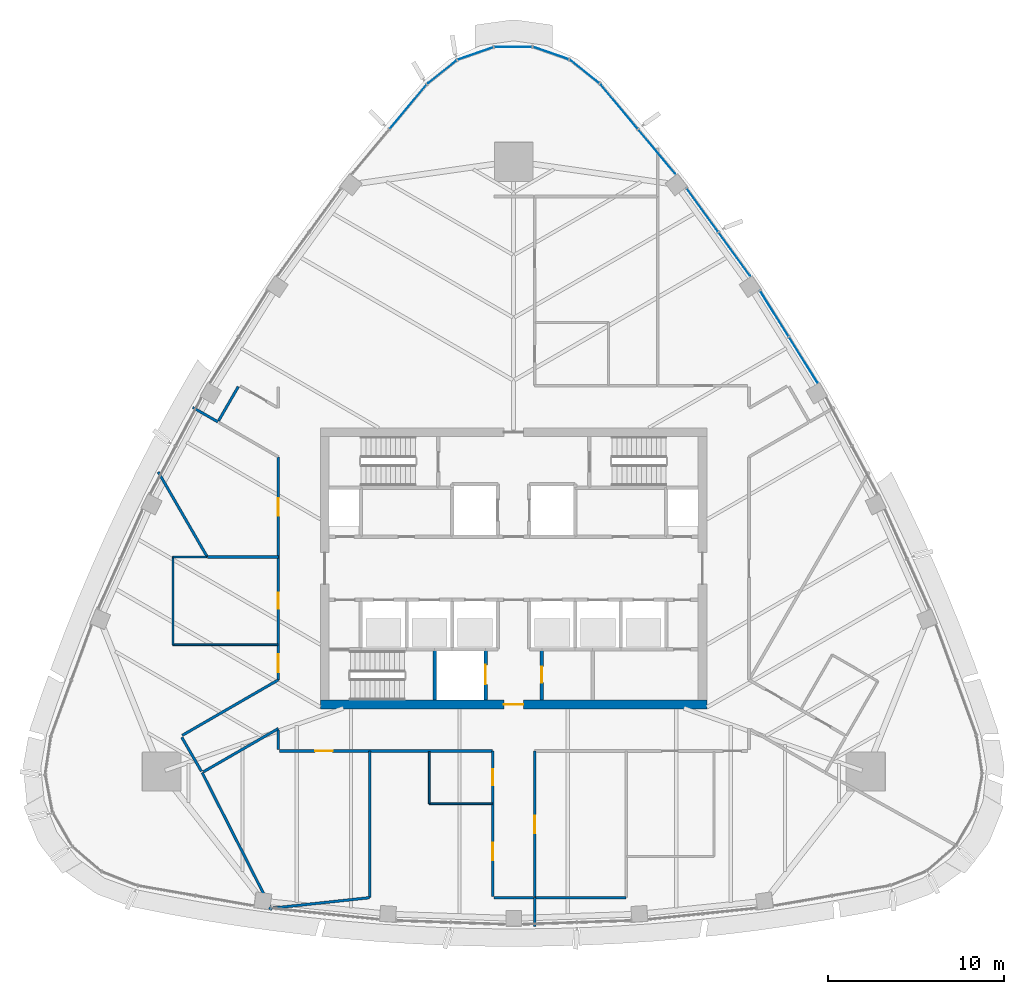
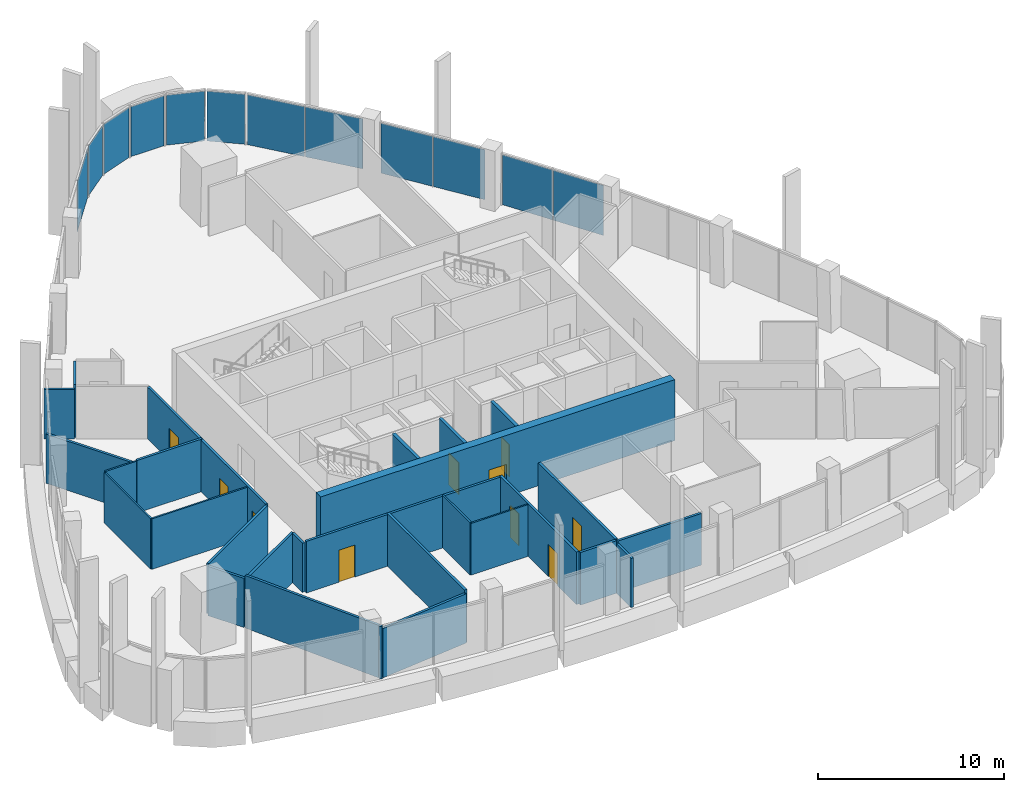
# One storey, part 8 of 19: 28 walls, 12 plates, 10 doors, 10 openings, 9 elements without a shape of their own.
"""IFC4 building model written with IfcOpenShell, lengths in metres."""

from ifc_helpers import new_model, si_unit, direction, frame, frame_2d, origin, origin_2d, place, context, subcontext, project, spatial, rectangle, extrude, material, layer, layer_set, type_object, element, fill, aggregate, save


model = new_model("IFC4")

# Units and contexts
model_context = context("Model", 3, precision=1e-05, world=origin(), true_north=direction((0.0, 1.0)))
body_context = subcontext(model_context, "Body", "Model", "MODEL_VIEW")
ifc_project = project(units=[si_unit("LENGTHUNIT", "METRE"), si_unit("AREAUNIT", "SQUARE_METRE"), si_unit("VOLUMEUNIT", "CUBIC_METRE"), si_unit("PLANEANGLEUNIT", "RADIAN"), si_unit("MASSUNIT", "GRAM", prefix="KILO")], contexts=[model_context])

# Site, building, storey
site_placement = place(None, origin())
site = spatial("IfcSite", under=ifc_project, at=site_placement, CompositionType="ELEMENT")
building_placement = place(site_placement, origin())
building = spatial("IfcBuilding", under=site, at=building_placement, Name="Sierra Prisma Convention Tower", CompositionType="ELEMENT")
storey_placement = place(building_placement, frame((0.0, 0.0, 311.0)))
storey = spatial("IfcBuildingStorey", under=building, at=storey_placement, Name="L71", CompositionType="ELEMENT", Elevation=311.0)

# Curtain wall, plates
ifc_material_1 = material(Name="Aluminium and glass curtain wall", Category="aluminium")
ifc_layer_1 = layer(ifc_material_1, 0.179931640625)
ifc_layer_set_1 = layer_set([ifc_layer_1], Name="CW-1 Plain shaft curtain wall")
curtain_wall_type = type_object("IfcCurtainWallType", Name="CW-1 Plain shaft curtain wall", PredefinedType="NOTDEFINED", material=ifc_layer_set_1)
curtain_wall_1_placement = place(storey_placement, origin())
curtain_wall_1 = element("IfcCurtainWall", 1, at=curtain_wall_1_placement, inside=storey, type_object=curtain_wall_type, Name="CW-1 NE4 L71", PredefinedType="NOTDEFINED")
ifc_material_2 = material(Name="Tinted glass bronze-grey IGU", Category="glass")
ifc_layer_2 = layer(ifc_material_2, 0.028076171875)
ifc_layer_set_2 = layer_set([ifc_layer_2], Name="CW-1 glass panel")
plate_type = type_object("IfcPlateType", Name="CW-1 glass panel", PredefinedType="CURTAIN_PANEL", material=ifc_layer_set_2)
plate_1_placement = place(storey_placement, frame((16.482666015625, 11.86767578125, 0.0), z_axis=(0.0, 0.0, 1.0), x_axis=(-0.529589428074, 0.848254111497, 0.0)))
plate_1 = element("IfcPlate", 2, at=plate_1_placement, type_object=plate_type, Name="CW-1 panel NE4.1", PredefinedType="CURTAIN_PANEL", context=body_context, shape_type="SweptSolid", body=[
    extrude(rectangle(XDim=3.03515625, YDim=0.028076171875, at=origin_2d()), origin(), (0.0, 0.0, 1.0), 3.280029296875),
])
plate_2_placement = place(storey_placement, frame((14.83837890625, 14.50146484375, 0.0), z_axis=(0.0, 0.0, 1.0), x_axis=(-0.529589428074, 0.848254111497, 0.0)))
plate_2 = element("IfcPlate", 3, at=plate_2_placement, type_object=plate_type, Name="CW-1 panel NE4.2", PredefinedType="CURTAIN_PANEL", context=body_context, shape_type="SweptSolid", body=[
    extrude(rectangle(XDim=3.03515625, YDim=0.028076171875, at=origin_2d()), origin(), (0.0, 0.0, 1.0), 3.280029296875),
])
aggregate(curtain_wall_1, [plate_1, plate_2])

curtain_wall_2_placement = place(storey_placement, origin())
curtain_wall_2 = element("IfcCurtainWall", 4, at=curtain_wall_2_placement, inside=storey, type_object=curtain_wall_type, Name="CW-1 NE5 L71", PredefinedType="NOTDEFINED")
plate_3_placement = place(storey_placement, frame((12.561767578125, 17.883544921875, 0.0), z_axis=(0.0, 0.0, 1.0), x_axis=(-0.586841000416, 0.80970219231, 0.0)))
plate_3 = element("IfcPlate", 5, at=plate_3_placement, type_object=plate_type, Name="CW-1 panel NE5.1", PredefinedType="CURTAIN_PANEL", context=body_context, shape_type="SweptSolid", body=[
    extrude(rectangle(XDim=3.02001953125, YDim=0.028076171875, at=origin_2d()), origin(), (0.0, 0.0, 1.0), 3.280029296875),
])
plate_4_placement = place(storey_placement, frame((10.748291015625, 20.385498046875, 0.0), z_axis=(0.0, 0.0, 1.0), x_axis=(-0.586841000416, 0.80970219231, 0.0)))
plate_4 = element("IfcPlate", 6, at=plate_4_placement, type_object=plate_type, Name="CW-1 panel NE5.2", PredefinedType="CURTAIN_PANEL", context=body_context, shape_type="SweptSolid", body=[
    extrude(rectangle(XDim=3.02001953125, YDim=0.028076171875, at=origin_2d()), origin(), (0.0, 0.0, 1.0), 3.280029296875),
])
aggregate(curtain_wall_2, [plate_3, plate_4])

curtain_wall_3_placement = place(storey_placement, origin())
curtain_wall_3 = element("IfcCurtainWall", 7, at=curtain_wall_3_placement, inside=storey, type_object=curtain_wall_type, Name="CW-1 NE6 L71", PredefinedType="NOTDEFINED")
plate_5_placement = place(storey_placement, frame((8.15185546875, 23.715087890625, 0.0), z_axis=(0.0, 0.0, 1.0), x_axis=(-0.641296866334, 0.767292857539, 0.0)))
plate_5 = element("IfcPlate", 8, at=plate_5_placement, type_object=plate_type, Name="CW-1 panel NE6.1", PredefinedType="CURTAIN_PANEL", context=body_context, shape_type="SweptSolid", body=[
    extrude(rectangle(XDim=3.265869140625, YDim=0.028076171875, at=origin_2d()), origin(), (0.0, 0.0, 1.0), 3.280029296875),
])
plate_6_placement = place(storey_placement, frame((6.012451171875, 26.274658203125, 0.0), z_axis=(0.0, 0.0, 1.0), x_axis=(-0.641296866334, 0.767292857539, 0.0)))
plate_6 = element("IfcPlate", 9, at=plate_6_placement, type_object=plate_type, Name="CW-1 panel NE6.2", PredefinedType="CURTAIN_PANEL", context=body_context, shape_type="SweptSolid", body=[
    extrude(rectangle(XDim=3.265869140625, YDim=0.028076171875, at=origin_2d()), origin(), (0.0, 0.0, 1.0), 3.280029296875),
])
aggregate(curtain_wall_3, [plate_5, plate_6])

# Curtain wall, plate
curtain_wall_4_placement = place(storey_placement, origin())
curtain_wall_4 = element("IfcCurtainWall", 10, at=curtain_wall_4_placement, inside=storey, type_object=curtain_wall_type, Name="CW-1 N1 L71", PredefinedType="NOTDEFINED")
plate_7_placement = place(storey_placement, frame((4.0556640625, 28.269287109375, 0.0), z_axis=(0.0, 0.0, 1.0), x_axis=(-0.78253261812, 0.622609590015, 0.0)))
plate_7 = element("IfcPlate", 11, at=plate_7_placement, type_object=plate_type, Name="CW-1 panel N1.1", PredefinedType="CURTAIN_PANEL", context=body_context, shape_type="SweptSolid", body=[
    extrude(rectangle(XDim=2.06982421875, YDim=0.028076171875, at=origin_2d()), origin(), (0.0, 0.0, 1.0), 3.280029296875),
])
aggregate(curtain_wall_4, [plate_7])

curtain_wall_5_placement = place(storey_placement, origin())
curtain_wall_5 = element("IfcCurtainWall", 12, at=curtain_wall_5_placement, inside=storey, type_object=curtain_wall_type, Name="CW-1 N2 L71", PredefinedType="NOTDEFINED")
plate_8_placement = place(storey_placement, frame((2.14794921875, 29.321533203125, 0.0), z_axis=(0.0, 0.0, 1.0), x_axis=(-0.944069017106, 0.329747920297, 0.0)))
plate_8 = element("IfcPlate", 13, at=plate_8_placement, type_object=plate_type, Name="CW-1 panel N2.1", PredefinedType="CURTAIN_PANEL", context=body_context, shape_type="SweptSolid", body=[
    extrude(rectangle(XDim=2.06982421875, YDim=0.028076171875, at=origin_2d()), origin(), (0.0, 0.0, 1.0), 3.280029296875),
])
aggregate(curtain_wall_5, [plate_8])

curtain_wall_6_placement = place(storey_placement, origin())
curtain_wall_6 = element("IfcCurtainWall", 14, at=curtain_wall_6_placement, inside=storey, type_object=curtain_wall_type, Name="CW-1 N3 L71", PredefinedType="NOTDEFINED")
plate_9_placement = place(storey_placement, frame((0.0, 29.68603515625, 0.0), z_axis=(0.0, 0.0, 1.0), x_axis=(-1.0, 0.0, 0.0)))
plate_9 = element("IfcPlate", 15, at=plate_9_placement, type_object=plate_type, Name="CW-1 panel N3.1", PredefinedType="CURTAIN_PANEL", context=body_context, shape_type="SweptSolid", body=[
    extrude(rectangle(XDim=2.06982421875, YDim=0.028076171875, at=origin_2d()), origin(), (0.0, 0.0, 1.0), 3.280029296875),
])
aggregate(curtain_wall_6, [plate_9])

curtain_wall_7_placement = place(storey_placement, origin())
curtain_wall_7 = element("IfcCurtainWall", 16, at=curtain_wall_7_placement, inside=storey, type_object=curtain_wall_type, Name="CW-1 N4 L71", PredefinedType="NOTDEFINED")
plate_10_placement = place(storey_placement, frame((-2.14794921875, 29.321533203125, 0.0), z_axis=(0.0, 0.0, 1.0), x_axis=(-0.944069017106, -0.329747920297, 0.0)))
plate_10 = element("IfcPlate", 17, at=plate_10_placement, type_object=plate_type, Name="CW-1 panel N4.1", PredefinedType="CURTAIN_PANEL", context=body_context, shape_type="SweptSolid", body=[
    extrude(rectangle(XDim=2.06982421875, YDim=0.028076171875, at=origin_2d()), origin(), (0.0, 0.0, 1.0), 3.280029296875),
])
aggregate(curtain_wall_7, [plate_10])

curtain_wall_8_placement = place(storey_placement, origin())
curtain_wall_8 = element("IfcCurtainWall", 18, at=curtain_wall_8_placement, inside=storey, type_object=curtain_wall_type, Name="CW-1 N5 L71", PredefinedType="NOTDEFINED")
plate_11_placement = place(storey_placement, frame((-4.0556640625, 28.269287109375, 0.0), z_axis=(0.0, 0.0, 1.0), x_axis=(-0.78253261812, -0.622609590015, 0.0)))
plate_11 = element("IfcPlate", 19, at=plate_11_placement, type_object=plate_type, Name="CW-1 panel N5.1", PredefinedType="CURTAIN_PANEL", context=body_context, shape_type="SweptSolid", body=[
    extrude(rectangle(XDim=2.06982421875, YDim=0.028076171875, at=origin_2d()), origin(), (0.0, 0.0, 1.0), 3.280029296875),
])
aggregate(curtain_wall_8, [plate_11])

curtain_wall_9_placement = place(storey_placement, origin())
curtain_wall_9 = element("IfcCurtainWall", 20, at=curtain_wall_9_placement, inside=storey, type_object=curtain_wall_type, Name="CW-1 NW1 L71", PredefinedType="NOTDEFINED")
plate_12_placement = place(storey_placement, frame((-6.012451171875, 26.274658203125, 0.0), z_axis=(0.0, 0.0, 1.0), x_axis=(-0.641296866334, -0.767292857539, 0.0)))
plate_12 = element("IfcPlate", 21, at=plate_12_placement, type_object=plate_type, Name="CW-1 panel NW1.1", PredefinedType="CURTAIN_PANEL", context=body_context, shape_type="SweptSolid", body=[
    extrude(rectangle(XDim=3.265869140625, YDim=0.028076171875, at=origin_2d()), origin(), (0.0, 0.0, 1.0), 3.280029296875),
])
aggregate(curtain_wall_9, [plate_12])

# Walls
ifc_material_3 = material(Name="Gypsum board partition", Category="gypsum")
ifc_layer_3 = layer(ifc_material_3, 0.10009765625)
ifc_layer_set_3 = layer_set([ifc_layer_3], Name="Bathroom partition 100")
wall_type_1 = type_object("IfcWallType", Name="Bathroom partition 100", PredefinedType="PARTITIONING", material=ifc_layer_set_3)
wall_1_placement = place(storey_placement, frame((-13.429931640625, -4.350830078125, 0.0), z_axis=(0.0, 0.0, 1.0), x_axis=(-1.0, 0.0, 0.0)))
element("IfcWall", 22, at=wall_1_placement, inside=storey, type_object=wall_type_1, Name="Partition L71 bath 1", PredefinedType="PARTITIONING", context=body_context, shape_type="SweptSolid", body=[
    extrude(rectangle(XDim=5.969970703125, YDim=0.10009765625, at=frame_2d((2.98486328125, 0.0))), origin(), (0.0, 0.0, 1.0), 3.31689453125),
])
wall_2_placement = place(storey_placement, frame((-19.39990234375, -4.350830078125, 0.0), z_axis=(0.0, 0.0, 1.0), x_axis=(0.0, 1.0, 0.0)))
element("IfcWall", 23, at=wall_2_placement, inside=storey, type_object=wall_type_1, Name="Partition L71 bath 2", PredefinedType="PARTITIONING", context=body_context, shape_type="SweptSolid", body=[
    extrude(rectangle(XDim=5.0, YDim=0.10009765625, at=frame_2d((2.5, 0.0))), origin(), (0.0, 0.0, 1.0), 3.31689453125),
])
wall_3_placement = place(storey_placement, frame((-19.39990234375, 0.649169921875, 0.0), z_axis=(0.0, 0.0, 1.0), x_axis=(1.0, 0.0, 0.0)))
element("IfcWall", 24, at=wall_3_placement, inside=storey, type_object=wall_type_1, Name="Partition L71 bath 3", PredefinedType="PARTITIONING", context=body_context, shape_type="SweptSolid", body=[
    extrude(rectangle(XDim=1.923828125, YDim=0.10009765625, at=frame_2d((0.9619140625, 0.0))), origin(), (0.0, 0.0, 1.0), 3.39306640625),
])
wall_4_placement = place(storey_placement, frame((-1.22998046875, -13.39990234375, 0.0), z_axis=(0.0, 0.0, 1.0), x_axis=(-1.0, 0.0, 0.0)))
element("IfcWall", 25, at=wall_4_placement, inside=storey, type_object=wall_type_1, Name="Partition L71 bath 4", PredefinedType="PARTITIONING", context=body_context, shape_type="SweptSolid", body=[
    extrude(rectangle(XDim=3.570068359375, YDim=0.10009765625, at=frame_2d((1.78515625, 0.0))), origin(), (0.0, 0.0, 1.0), 3.39306640625),
])
wall_5_placement = place(storey_placement, frame((-4.800048828125, -13.39990234375, 0.0), z_axis=(0.0, 0.0, 1.0), x_axis=(0.0, 1.0, 0.0)))
element("IfcWall", 26, at=wall_5_placement, inside=storey, type_object=wall_type_1, Name="Partition L71 bath 5", PredefinedType="PARTITIONING", context=body_context, shape_type="SweptSolid", body=[
    extrude(rectangle(XDim=2.969970703125, YDim=0.10009765625, at=frame_2d((1.48486328125, 0.0))), origin(), (0.0, 0.0, 1.0), 3.449951171875),
])
ifc_material_4 = material(Name="Concrete C30/37", Category="concrete")
ifc_layer_4 = layer(ifc_material_4, 0.199951171875)
ifc_layer_set_4 = layer_set([ifc_layer_4], Name="Core wall RC 200 C30/37")
wall_type_2 = type_object("IfcWallType", Name="Core wall RC 200 C30/37", PredefinedType="SOLIDWALL", material=ifc_layer_set_4)
wall_6_placement = place(storey_placement, frame((-4.5, -4.60009765625, 0.0), z_axis=(0.0, 0.0, 1.0), x_axis=(0.0, -1.0, 0.0)))
element("IfcWall", 27, at=wall_6_placement, inside=storey, type_object=wall_type_2, Name="Core wall L71 14", PredefinedType="SOLIDWALL", context=body_context, shape_type="SweptSolid", body=[
    extrude(rectangle(XDim=2.89990234375, YDim=0.199951171875, at=frame_2d((1.449951171875, 0.0))), origin(), (0.0, 0.0, 1.0), 3.85009765625),
])

# Wall, opening, door
wall_7_placement = place(storey_placement, frame((-1.60009765625, -7.5, 0.0), z_axis=(0.0, 0.0, 1.0), x_axis=(0.0, 1.0, 0.0)))
wall_7 = element("IfcWall", 28, at=wall_7_placement, inside=storey, type_object=wall_type_2, Name="Core wall L71 26", PredefinedType="SOLIDWALL", context=body_context, shape_type="SweptSolid", body=[
    extrude(rectangle(XDim=2.89990234375, YDim=0.199951171875, at=frame_2d((1.449951171875, 0.0))), origin(), (0.0, 0.0, 1.0), 3.85009765625),
])
opening_1_placement = place(wall_7_placement, frame((0.89990234375, 0.0, 0.0)))
opening_1 = element("IfcOpeningElement", 29, at=opening_1_placement, cuts=wall_7, Name="Opening L71-D009", PredefinedType="OPENING", context=body_context, shape_type="SweptSolid", body=[
    extrude(rectangle(XDim=1.10009765625, YDim=2.10009765625, at=frame_2d((0.550048828125, 1.050048828125))), frame((0.0, 0.10009765625, 0.0), z_axis=(0.0, -1.0, 0.0), x_axis=(1.0, 0.0, 0.0)), (0.0, 0.0, 1.0), 0.199951171875),
])
ifc_material_5 = material(Name="Steel fire door leaf", Category="steel")
door_type_1 = type_object("IfcDoorType", Name="Door 1100x2100 EI 90 sliding lift landing", OperationType="SLIDING_TO_LEFT", PredefinedType="DOOR", material=ifc_material_5)
door_1_placement = place(opening_1_placement, origin())
door_1 = element("IfcDoor", 30, at=door_1_placement, inside=storey, type_object=door_type_1, Name="Door L71 25", OperationType="SLIDING_TO_RIGHT", OverallHeight=2.10009765625, OverallWidth=1.10009765625, PredefinedType="DOOR", context=body_context, shape_type="SweptSolid", body=[
    extrude(rectangle(XDim=1.10009765625, YDim=2.10009765625, at=frame_2d((0.550048828125, 1.050048828125))), frame((0.0, 0.02490234375, 0.0), z_axis=(0.0, -1.0, 0.0), x_axis=(1.0, 0.0, 0.0)), (0.0, 0.0, 1.0), 0.050048828125),
])
fill(opening_1, door_1)

wall_8_placement = place(storey_placement, frame((1.60009765625, -4.60009765625, 0.0), z_axis=(0.0, 0.0, 1.0), x_axis=(0.0, -1.0, 0.0)))
wall_8 = element("IfcWall", 31, at=wall_8_placement, inside=storey, type_object=wall_type_2, Name="Core wall L71 38", PredefinedType="SOLIDWALL", context=body_context, shape_type="SweptSolid", body=[
    extrude(rectangle(XDim=2.89990234375, YDim=0.199951171875, at=frame_2d((1.449951171875, 0.0))), origin(), (0.0, 0.0, 1.0), 3.85009765625),
])
opening_2_placement = place(wall_8_placement, frame((1.0, 0.0, 0.0)))
opening_2 = element("IfcOpeningElement", 32, at=opening_2_placement, cuts=wall_8, Name="Opening L71-D022", PredefinedType="OPENING", context=body_context, shape_type="SweptSolid", body=[
    extrude(rectangle(XDim=0.89990234375, YDim=2.10009765625, at=frame_2d((0.449951171875, 1.050048828125))), frame((0.0, 0.10009765625, 0.0), z_axis=(0.0, -1.0, 0.0), x_axis=(1.0, 0.0, 0.0)), (0.0, 0.0, 1.0), 0.199951171875),
])
ifc_material_6 = material(Name="Steel fire door leaf", Category="steel")
door_type_2 = type_object("IfcDoorType", Name="Door 900x2100 FD30S", OperationType="SINGLE_SWING_LEFT", PredefinedType="DOOR", material=ifc_material_6)
door_2_placement = place(opening_2_placement, origin())
door_2 = element("IfcDoor", 33, at=door_2_placement, inside=storey, type_object=door_type_2, Name="Door L71 38", OperationType="SINGLE_SWING_RIGHT", OverallHeight=2.10009765625, OverallWidth=0.89990234375, PredefinedType="DOOR", context=body_context, shape_type="SweptSolid", body=[
    extrude(rectangle(XDim=0.89990234375, YDim=2.10009765625, at=frame_2d((0.449951171875, 1.050048828125))), frame((0.0, 0.02490234375, 0.0), z_axis=(0.0, -1.0, 0.0), x_axis=(1.0, 0.0, 0.0)), (0.0, 0.0, 1.0), 0.050048828125),
])
fill(opening_2, door_2)

ifc_material_7 = material(Name="Concrete C50/60", Category="concrete")
ifc_layer_5 = layer(ifc_material_7, 0.5)
ifc_layer_set_5 = layer_set([ifc_layer_5], Name="Core wall RC 500 C50/60")
wall_type_3 = type_object("IfcWallType", Name="Core wall RC 500 C50/60", PredefinedType="SHEAR", material=ifc_layer_set_5)
wall_9_placement = place(storey_placement, frame((-11.0, -7.75, 0.0), z_axis=(0.0, 0.0, 1.0), x_axis=(1.0, 0.0, 0.0)))
wall_9 = element("IfcWall", 34, at=wall_9_placement, inside=storey, type_object=wall_type_3, Name="Core wall S L71", PredefinedType="SHEAR", context=body_context, shape_type="SweptSolid", body=[
    extrude(rectangle(XDim=22.0, YDim=0.5, at=frame_2d((11.0, 0.0))), origin(), (0.0, 0.0, 1.0), 4.0),
])
opening_3_placement = place(wall_9_placement, frame((10.449951171875, 0.0, 0.0)))
opening_3 = element("IfcOpeningElement", 35, at=opening_3_placement, cuts=wall_9, Name="Opening L71-D041", PredefinedType="OPENING", context=body_context, shape_type="SweptSolid", body=[
    extrude(rectangle(XDim=1.10009765625, YDim=2.10009765625, at=frame_2d((0.550048828125, 1.050048828125))), frame((0.0, 0.25, 0.0), z_axis=(0.0, -1.0, 0.0), x_axis=(1.0, 0.0, 0.0)), (0.0, 0.0, 1.0), 0.5),
])
ifc_material_8 = material(Name="Steel fire door leaf", Category="steel")
door_type_3 = type_object("IfcDoorType", Name="Door 1100x2100 FD30S", OperationType="SINGLE_SWING_LEFT", PredefinedType="DOOR", material=ifc_material_8)
door_3_placement = place(opening_3_placement, origin())
door_3 = element("IfcDoor", 36, at=door_3_placement, inside=storey, type_object=door_type_3, Name="Door L71 42", OperationType="SINGLE_SWING_LEFT", OverallHeight=2.10009765625, OverallWidth=1.10009765625, PredefinedType="DOOR", context=body_context, shape_type="SweptSolid", body=[
    extrude(rectangle(XDim=1.10009765625, YDim=2.10009765625, at=frame_2d((0.550048828125, 1.050048828125))), frame((0.0, 0.02490234375, 0.0), z_axis=(0.0, -1.0, 0.0), x_axis=(1.0, 0.0, 0.0)), (0.0, 0.0, 1.0), 0.050048828125),
])
fill(opening_3, door_3)

# Wall
ifc_material_9 = material(Name="Gypsum board partition", Category="gypsum")
ifc_layer_6 = layer(ifc_material_9, 0.14990234375)
ifc_layer_set_6 = layer_set([ifc_layer_6], Name="Corridor wall 150 gypsum EI 60")
wall_type_4 = type_object("IfcWallType", Name="Corridor wall 150 gypsum EI 60", PredefinedType="PARTITIONING", material=ifc_layer_set_6)
wall_10_placement = place(storey_placement, frame((-18.8955078125, -9.615966796875, 0.0), z_axis=(0.0, 0.0, 1.0), x_axis=(0.500030632641, -0.866007717299, 0.0)))
element("IfcWall", 37, at=wall_10_placement, inside=storey, type_object=wall_type_4, Name="Partition L71 corr 1", PredefinedType="PARTITIONING", context=body_context, shape_type="SweptSolid", body=[
    extrude(rectangle(XDim=2.239990234375, YDim=0.14990234375, at=frame_2d((1.1201171875, 0.0))), origin(), (0.0, 0.0, 1.0), 3.23291015625),
])

# Wall, openings, doors
wall_11_placement = place(storey_placement, frame((-13.39990234375, 6.350830078125, 0.0), z_axis=(0.0, 0.0, 1.0), x_axis=(0.0, -1.0, 0.0)))
wall_11 = element("IfcWall", 38, at=wall_11_placement, inside=storey, type_object=wall_type_4, Name="Partition L71 corr 3", PredefinedType="PARTITIONING", context=body_context, shape_type="SweptSolid", body=[
    extrude(rectangle(XDim=12.70166015625, YDim=0.14990234375, at=frame_2d((6.350830078125, 0.0))), origin(), (0.0, 0.0, 1.0), 3.39306640625),
])
opening_4_placement = place(wall_11_placement, frame((2.350830078125, 0.0, 0.0)))
opening_4 = element("IfcOpeningElement", 39, at=opening_4_placement, cuts=wall_11, Name="Opening L71-D028", PredefinedType="OPENING", context=body_context, shape_type="SweptSolid", body=[
    extrude(rectangle(XDim=1.0, YDim=2.10009765625, at=frame_2d((0.5, 1.050048828125))), frame((0.0, 0.074951171875, 0.0), z_axis=(0.0, -1.0, 0.0), x_axis=(1.0, 0.0, 0.0)), (0.0, 0.0, 1.0), 0.14990234375),
])
opening_5_placement = place(wall_11_placement, frame((7.751708984375, 0.0, 0.0)))
opening_5 = element("IfcOpeningElement", 40, at=opening_5_placement, cuts=wall_11, Name="Opening L71-D029", PredefinedType="OPENING", context=body_context, shape_type="SweptSolid", body=[
    extrude(rectangle(XDim=0.89990234375, YDim=2.10009765625, at=frame_2d((0.449951171875, 1.050048828125))), frame((0.0, 0.074951171875, 0.0), z_axis=(0.0, -1.0, 0.0), x_axis=(1.0, 0.0, 0.0)), (0.0, 0.0, 1.0), 0.14990234375),
])
opening_6_placement = place(wall_11_placement, frame((11.251708984375, 0.0, 0.0)))
opening_6 = element("IfcOpeningElement", 41, at=opening_6_placement, cuts=wall_11, Name="Opening L71-D030", PredefinedType="OPENING", context=body_context, shape_type="SweptSolid", body=[
    extrude(rectangle(XDim=1.0, YDim=2.10009765625, at=frame_2d((0.5, 1.050048828125))), frame((0.0, 0.074951171875, 0.0), z_axis=(0.0, -1.0, 0.0), x_axis=(1.0, 0.0, 0.0)), (0.0, 0.0, 1.0), 0.14990234375),
])
ifc_material_10 = material(Name="Steel fire door leaf", Category="steel")
door_type_4 = type_object("IfcDoorType", Name="Door 1000x2100 FD30S", OperationType="SINGLE_SWING_LEFT", PredefinedType="DOOR", material=ifc_material_10)
door_4_placement = place(opening_4_placement, origin())
door_4 = element("IfcDoor", 42, at=door_4_placement, inside=storey, type_object=door_type_4, Name="Door L71 6", OperationType="SINGLE_SWING_RIGHT", OverallHeight=2.10009765625, OverallWidth=1.0, PredefinedType="DOOR", context=body_context, shape_type="SweptSolid", body=[
    extrude(rectangle(XDim=1.0, YDim=2.10009765625, at=frame_2d((0.5, 1.050048828125))), frame((0.0, 0.02490234375, 0.0), z_axis=(0.0, -1.0, 0.0), x_axis=(1.0, 0.0, 0.0)), (0.0, 0.0, 1.0), 0.050048828125),
])
fill(opening_4, door_4)
door_5_placement = place(opening_6_placement, origin())
door_5 = element("IfcDoor", 43, at=door_5_placement, inside=storey, type_object=door_type_4, Name="Door L71 8", OperationType="SINGLE_SWING_RIGHT", OverallHeight=2.10009765625, OverallWidth=1.0, PredefinedType="DOOR", context=body_context, shape_type="SweptSolid", body=[
    extrude(rectangle(XDim=1.0, YDim=2.10009765625, at=frame_2d((0.5, 1.050048828125))), frame((0.0, 0.02490234375, 0.0), z_axis=(0.0, -1.0, 0.0), x_axis=(1.0, 0.0, 0.0)), (0.0, 0.0, 1.0), 0.050048828125),
])
fill(opening_6, door_5)
door_6_placement = place(opening_5_placement, origin())
door_6 = element("IfcDoor", 44, at=door_6_placement, inside=storey, type_object=door_type_2, Name="Door L71 7", OperationType="SINGLE_SWING_LEFT", OverallHeight=2.10009765625, OverallWidth=0.89990234375, PredefinedType="DOOR", context=body_context, shape_type="SweptSolid", body=[
    extrude(rectangle(XDim=0.89990234375, YDim=2.10009765625, at=frame_2d((0.449951171875, 1.050048828125))), frame((0.0, 0.02490234375, 0.0), z_axis=(0.0, -1.0, 0.0), x_axis=(1.0, 0.0, 0.0)), (0.0, 0.0, 1.0), 0.050048828125),
])
fill(opening_5, door_6)

# Walls
wall_12_placement = place(storey_placement, frame((-13.39990234375, -6.350830078125, 0.0), z_axis=(0.0, 0.0, 1.0), x_axis=(-0.866040017224, -0.499974687925, 0.0)))
element("IfcWall", 45, at=wall_12_placement, inside=storey, type_object=wall_type_4, Name="Partition L71 corr 4", PredefinedType="PARTITIONING", context=body_context, shape_type="SweptSolid", body=[
    extrude(rectangle(XDim=6.311767578125, YDim=0.14990234375, at=frame_2d((3.15576171875, 0.0))), origin(), (0.0, 0.0, 1.0), 3.31689453125),
])
wall_13_placement = place(storey_placement, frame((-17.666015625, -11.585205078125, 0.0), z_axis=(0.0, 0.0, 1.0), x_axis=(0.86601721881, 0.500014176524, 0.0)))
element("IfcWall", 46, at=wall_13_placement, inside=storey, type_object=wall_type_4, Name="Partition L71 corr 5", PredefinedType="PARTITIONING", context=body_context, shape_type="SweptSolid", body=[
    extrude(rectangle(XDim=4.926025390625, YDim=0.14990234375, at=frame_2d((2.462890625, 0.0))), origin(), (0.0, 0.0, 1.0), 3.23291015625),
])
wall_14_placement = place(storey_placement, frame((-13.39990234375, -9.213623046875, 0.0), z_axis=(0.0, 0.0, 1.0), x_axis=(0.0, -1.0, 0.0)))
element("IfcWall", 47, at=wall_14_placement, inside=storey, type_object=wall_type_4, Name="Partition L71 corr 6", PredefinedType="PARTITIONING", context=body_context, shape_type="SweptSolid", body=[
    extrude(rectangle(XDim=1.1064453125, YDim=0.14990234375, at=frame_2d((0.55322265625, 0.0))), origin(), (0.0, 0.0, 1.0), 3.23291015625),
])
wall_15_placement = place(storey_placement, frame((-15.6767578125, 10.34423828125, 0.0), z_axis=(0.0, 0.0, 1.0), x_axis=(-0.49994888933, -0.866054910533, 0.0)))
element("IfcWall", 48, at=wall_15_placement, inside=storey, type_object=wall_type_4, Name="Partition L71 corr 7", PredefinedType="PARTITIONING", context=body_context, shape_type="SweptSolid", body=[
    extrude(rectangle(XDim=2.239990234375, YDim=0.14990234375, at=frame_2d((1.1201171875, 0.0))), origin(), (0.0, 0.0, 1.0), 3.449951171875),
])

# Wall, opening, door
wall_16_placement = place(storey_placement, frame((-13.320068359375, -10.39990234375, 0.0), z_axis=(0.0, 0.0, 1.0), x_axis=(1.0, 0.0, 0.0)))
wall_16 = element("IfcWall", 49, at=wall_16_placement, inside=storey, type_object=wall_type_4, Name="Partition L71 corr 10", PredefinedType="PARTITIONING", context=body_context, shape_type="SweptSolid", body=[
    extrude(rectangle(XDim=12.1201171875, YDim=0.14990234375, at=frame_2d((6.06005859375, 0.0))), origin(), (0.0, 0.0, 1.0), 3.39306640625),
])
opening_7_placement = place(wall_16_placement, frame((2.02001953125, 0.0, 0.0)))
opening_7 = element("IfcOpeningElement", 50, at=opening_7_placement, cuts=wall_16, Name="Opening L71-D031", PredefinedType="OPENING", context=body_context, shape_type="SweptSolid", body=[
    extrude(rectangle(XDim=1.0, YDim=2.10009765625, at=frame_2d((0.5, 1.050048828125))), frame((0.0, 0.074951171875, 0.0), z_axis=(0.0, -1.0, 0.0), x_axis=(1.0, 0.0, 0.0)), (0.0, 0.0, 1.0), 0.14990234375),
])
door_7_placement = place(opening_7_placement, origin())
door_7 = element("IfcDoor", 51, at=door_7_placement, inside=storey, type_object=door_type_4, Name="Door L71 9", OperationType="SINGLE_SWING_LEFT", OverallHeight=2.10009765625, OverallWidth=1.0, PredefinedType="DOOR", context=body_context, shape_type="SweptSolid", body=[
    extrude(rectangle(XDim=1.0, YDim=2.10009765625, at=frame_2d((0.5, 1.050048828125))), frame((0.0, 0.02490234375, 0.0), z_axis=(0.0, -1.0, 0.0), x_axis=(1.0, 0.0, 0.0)), (0.0, 0.0, 1.0), 0.050048828125),
])
fill(opening_7, door_7)

# Wall, openings, doors
wall_17_placement = place(storey_placement, frame((-1.199951171875, -10.39990234375, 0.0), z_axis=(0.0, 0.0, 1.0), x_axis=(0.0, -1.0, 0.0)))
wall_17 = element("IfcWall", 52, at=wall_17_placement, inside=storey, type_object=wall_type_4, Name="Partition L71 corr 11", PredefinedType="PARTITIONING", context=body_context, shape_type="SweptSolid", body=[
    extrude(rectangle(XDim=8.268798828125, YDim=0.14990234375, at=frame_2d((4.13427734375, 0.0))), origin(), (0.0, 0.0, 1.0), 3.449951171875),
])
opening_8_placement = place(wall_17_placement, frame((1.050048828125, 0.0, 0.0)))
opening_8 = element("IfcOpeningElement", 53, at=opening_8_placement, cuts=wall_17, Name="Opening L71-D032", PredefinedType="OPENING", context=body_context, shape_type="SweptSolid", body=[
    extrude(rectangle(XDim=0.89990234375, YDim=2.10009765625, at=frame_2d((0.449951171875, 1.050048828125))), frame((0.0, 0.074951171875, 0.0), z_axis=(0.0, -1.0, 0.0), x_axis=(1.0, 0.0, 0.0)), (0.0, 0.0, 1.0), 0.14990234375),
])
opening_9_placement = place(wall_17_placement, frame((5.224365234375, 0.0, 0.0)))
opening_9 = element("IfcOpeningElement", 54, at=opening_9_placement, cuts=wall_17, Name="Opening L71-D033", PredefinedType="OPENING", context=body_context, shape_type="SweptSolid", body=[
    extrude(rectangle(XDim=1.0, YDim=2.10009765625, at=frame_2d((0.5, 1.050048828125))), frame((0.0, 0.074951171875, 0.0), z_axis=(0.0, -1.0, 0.0), x_axis=(1.0, 0.0, 0.0)), (0.0, 0.0, 1.0), 0.14990234375),
])
door_8_placement = place(opening_9_placement, origin())
door_8 = element("IfcDoor", 55, at=door_8_placement, inside=storey, type_object=door_type_4, Name="Door L71 11", OperationType="SINGLE_SWING_RIGHT", OverallHeight=2.10009765625, OverallWidth=1.0, PredefinedType="DOOR", context=body_context, shape_type="SweptSolid", body=[
    extrude(rectangle(XDim=1.0, YDim=2.10009765625, at=frame_2d((0.5, 1.050048828125))), frame((0.0, 0.02490234375, 0.0), z_axis=(0.0, -1.0, 0.0), x_axis=(1.0, 0.0, 0.0)), (0.0, 0.0, 1.0), 0.050048828125),
])
fill(opening_9, door_8)
door_9_placement = place(opening_8_placement, origin())
door_9 = element("IfcDoor", 56, at=door_9_placement, inside=storey, type_object=door_type_2, Name="Door L71 10", OperationType="SINGLE_SWING_LEFT", OverallHeight=2.10009765625, OverallWidth=0.89990234375, PredefinedType="DOOR", context=body_context, shape_type="SweptSolid", body=[
    extrude(rectangle(XDim=0.89990234375, YDim=2.10009765625, at=frame_2d((0.449951171875, 1.050048828125))), frame((0.0, 0.02490234375, 0.0), z_axis=(0.0, -1.0, 0.0), x_axis=(1.0, 0.0, 0.0)), (0.0, 0.0, 1.0), 0.050048828125),
])
fill(opening_8, door_9)

# Wall
wall_18_placement = place(storey_placement, frame((-1.1201171875, -18.74853515625, 0.0), z_axis=(0.0, 0.0, 1.0), x_axis=(1.0, 0.0, 0.0)))
element("IfcWall", 57, at=wall_18_placement, inside=storey, type_object=wall_type_4, Name="Partition L71 corr 12", PredefinedType="PARTITIONING", context=body_context, shape_type="SweptSolid", body=[
    extrude(rectangle(XDim=2.240234375, YDim=0.14990234375, at=frame_2d((1.1201171875, 0.0))), origin(), (0.0, 0.0, 1.0), 3.449951171875),
])

# Wall, opening, door
wall_19_placement = place(storey_placement, frame((1.199951171875, -18.668701171875, 0.0), z_axis=(0.0, 0.0, 1.0), x_axis=(0.0, 1.0, 0.0)))
wall_19 = element("IfcWall", 58, at=wall_19_placement, inside=storey, type_object=wall_type_4, Name="Partition L71 corr 14", PredefinedType="PARTITIONING", context=body_context, shape_type="SweptSolid", body=[
    extrude(rectangle(XDim=8.268798828125, YDim=0.14990234375, at=frame_2d((4.13427734375, 0.0))), origin(), (0.0, 0.0, 1.0), 3.449951171875),
])
opening_10_placement = place(wall_19_placement, frame((3.59423828125, 0.0, 0.0)))
opening_10 = element("IfcOpeningElement", 59, at=opening_10_placement, cuts=wall_19, Name="Opening L71-D034", PredefinedType="OPENING", context=body_context, shape_type="SweptSolid", body=[
    extrude(rectangle(XDim=1.0, YDim=2.10009765625, at=frame_2d((0.5, 1.050048828125))), frame((0.0, 0.074951171875, 0.0), z_axis=(0.0, -1.0, 0.0), x_axis=(1.0, 0.0, 0.0)), (0.0, 0.0, 1.0), 0.14990234375),
])
door_10_placement = place(opening_10_placement, origin())
door_10 = element("IfcDoor", 60, at=door_10_placement, inside=storey, type_object=door_type_4, Name="Door L71 12", OperationType="SINGLE_SWING_LEFT", OverallHeight=2.10009765625, OverallWidth=1.0, PredefinedType="DOOR", context=body_context, shape_type="SweptSolid", body=[
    extrude(rectangle(XDim=1.0, YDim=2.10009765625, at=frame_2d((0.5, 1.050048828125))), frame((0.0, 0.02490234375, 0.0), z_axis=(0.0, -1.0, 0.0), x_axis=(1.0, 0.0, 0.0)), (0.0, 0.0, 1.0), 0.050048828125),
])
fill(opening_10, door_10)

# Walls
ifc_material_11 = material(Name="Gypsum board partition", Category="gypsum")
ifc_layer_7 = layer(ifc_material_11, 0.14990234375)
ifc_layer_set_7 = layer_set([ifc_layer_7], Name="Party wall 150 gypsum")
wall_type_5 = type_object("IfcWallType", Name="Party wall 150 gypsum", PredefinedType="PARTITIONING", material=ifc_layer_set_7)
wall_20_placement = place(storey_placement, frame((-13.39990234375, 0.649169921875, 0.0), z_axis=(0.0, 0.0, 1.0), x_axis=(-1.0, 0.0, 0.0)))
element("IfcWall", 61, at=wall_20_placement, inside=storey, type_object=wall_type_5, Name="Partition L71 party 1", PredefinedType="PARTITIONING", context=body_context, shape_type="SweptSolid", body=[
    extrude(rectangle(XDim=4.04150390625, YDim=0.14990234375, at=frame_2d((2.020751953125, 0.0))), origin(), (0.0, 0.0, 1.0), 3.449951171875),
])
wall_21_placement = place(storey_placement, frame((-17.44140625, 0.649169921875, 0.0), z_axis=(0.0, 0.0, 1.0), x_axis=(-0.49999358888, 0.866029105215, 0.0)))
element("IfcWall", 62, at=wall_21_placement, inside=storey, type_object=wall_type_5, Name="Partition L71 party 2", PredefinedType="PARTITIONING", context=body_context, shape_type="SweptSolid", body=[
    extrude(rectangle(XDim=5.5859375, YDim=0.14990234375, at=frame_2d((2.79296875, 0.0))), origin(), (0.0, 0.0, 1.0), 3.23388671875),
])
wall_22_placement = place(storey_placement, frame((-16.836669921875, 8.335205078125, 0.0), z_axis=(0.0, 0.0, 1.0), x_axis=(-0.866084496772, 0.499897633972, 0.0)))
element("IfcWall", 63, at=wall_22_placement, inside=storey, type_object=wall_type_5, Name="Partition L71 party 3", PredefinedType="PARTITIONING", context=body_context, shape_type="SweptSolid", body=[
    extrude(rectangle(XDim=1.648681640625, YDim=0.14990234375, at=frame_2d((0.82421875, 0.0))), origin(), (0.0, 0.0, 1.0), 3.23388671875),
])
wall_23_placement = place(storey_placement, frame((-17.7353515625, -11.625244140625, 0.0), z_axis=(0.0, 0.0, 1.0), x_axis=(0.452377124292, -0.891826741815, 0.0)))
element("IfcWall", 64, at=wall_23_placement, inside=storey, type_object=wall_type_5, Name="Partition L71 party 4", PredefinedType="PARTITIONING", context=body_context, shape_type="SweptSolid", body=[
    extrude(rectangle(XDim=8.55517578125, YDim=0.14990234375, at=frame_2d((4.277587890625, 0.0))), origin(), (0.0, 0.0, 1.0), 3.449951171875),
])
wall_24_placement = place(storey_placement, frame((-8.199951171875, -10.39990234375, 0.0), z_axis=(0.0, 0.0, 1.0), x_axis=(0.0, -1.0, 0.0)))
element("IfcWall", 65, at=wall_24_placement, inside=storey, type_object=wall_type_5, Name="Partition L71 party 5", PredefinedType="PARTITIONING", context=body_context, shape_type="SweptSolid", body=[
    extrude(rectangle(XDim=8.3486328125, YDim=0.14990234375, at=frame_2d((4.17431640625, 0.0))), origin(), (0.0, 0.0, 1.0), 3.449951171875),
])
wall_25_placement = place(storey_placement, frame((-8.199951171875, -18.74853515625, 0.0), z_axis=(0.0, 0.0, 1.0), x_axis=(-0.994268787809, -0.106909202549, 0.0)))
element("IfcWall", 66, at=wall_25_placement, inside=storey, type_object=wall_type_5, Name="Partition L71 party 6", PredefinedType="PARTITIONING", context=body_context, shape_type="SweptSolid", body=[
    extrude(rectangle(XDim=5.546875, YDim=0.14990234375, at=frame_2d((2.7734375, 0.0))), origin(), (0.0, 0.0, 1.0), 3.23388671875),
])
wall_26_placement = place(storey_placement, frame((-13.76513671875, -19.42822265625, 0.0), z_axis=(0.0, 0.0, 1.0), x_axis=(-0.803180127116, 0.595736253225, 0.0)))
element("IfcWall", 67, at=wall_26_placement, inside=storey, type_object=wall_type_5, Name="Partition L71 party 7", PredefinedType="PARTITIONING", context=body_context, shape_type="SweptSolid", body=[
    extrude(rectangle(XDim=0.18359375, YDim=0.14990234375, at=frame_2d((0.091796875, 0.0))), origin(), (0.0, 0.0, 1.0), 3.449951171875),
])
wall_27_placement = place(storey_placement, frame((6.39990234375, -18.74853515625, 0.0), z_axis=(0.0, 0.0, 1.0), x_axis=(-1.0, 0.0, 0.0)))
element("IfcWall", 68, at=wall_27_placement, inside=storey, type_object=wall_type_5, Name="Partition L71 party 9", PredefinedType="PARTITIONING", context=body_context, shape_type="SweptSolid", body=[
    extrude(rectangle(XDim=5.199951171875, YDim=0.14990234375, at=frame_2d((2.60009765625, 0.0))), origin(), (0.0, 0.0, 1.0), 3.39306640625),
])
wall_28_placement = place(storey_placement, frame((1.199951171875, -18.74853515625, 0.0), z_axis=(0.0, 0.0, 1.0), x_axis=(0.0, -1.0, 0.0)))
element("IfcWall", 69, at=wall_28_placement, inside=storey, type_object=wall_type_5, Name="Partition L71 party 10", PredefinedType="PARTITIONING", context=body_context, shape_type="SweptSolid", body=[
    extrude(rectangle(XDim=1.648681640625, YDim=0.14990234375, at=frame_2d((0.82421875, 0.0))), origin(), (0.0, 0.0, 1.0), 3.23388671875),
])

save(model, "model.ifc")
